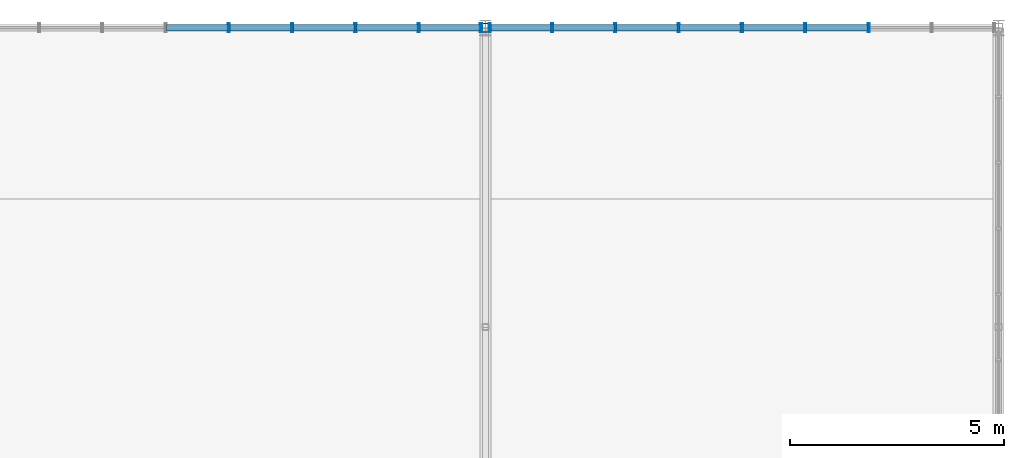
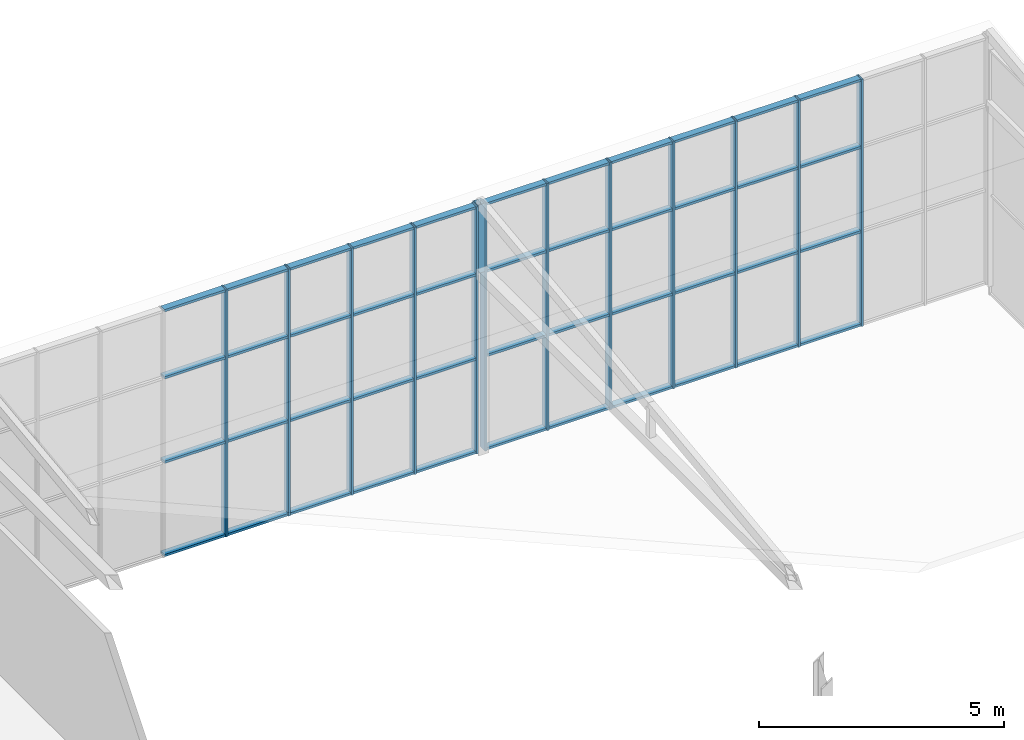
# One storey, part 78 of 104: 57 members, 2 elements without a shape of their own.
"""IFC4 building model written with IfcOpenShell, lengths in metres."""

from ifc_helpers import new_model, si_unit, direction, frame, origin, origin_2d, place, context, subcontext, project, spatial, hollow_rectangle, extrude, material, layer, layer_set, material_profile, profile_set, type_object, element, aggregate, save


model = new_model("IFC4")

# Units and contexts
model_context = context("Model", 3, precision=1e-05, world=origin(), true_north=direction((0.0, 1.0)))
body_context = subcontext(model_context, "Body", "Model", "MODEL_VIEW")
ifc_project = project(units=[si_unit("LENGTHUNIT", "METRE"), si_unit("AREAUNIT", "SQUARE_METRE"), si_unit("VOLUMEUNIT", "CUBIC_METRE"), si_unit("PLANEANGLEUNIT", "RADIAN"), si_unit("MASSUNIT", "GRAM", prefix="KILO")], contexts=[model_context])

# Site, building, storey
site_placement = place(None, origin())
site = spatial("IfcSite", under=ifc_project, at=site_placement, CompositionType="ELEMENT")
building_placement = place(site_placement, origin())
building = spatial("IfcBuilding", under=site, at=building_placement, Name="Solvenia Promenade Tram Depot", CompositionType="ELEMENT")
storey_placement = place(building_placement, frame((0.0, 0.0, 9.0)))
storey = spatial("IfcBuildingStorey", under=building, at=storey_placement, Name="L02", CompositionType="ELEMENT", Elevation=9.0)

# Curtain wall, members
ifc_material_1 = material(Name="Anodized aluminium AW-6063 T6", Category="aluminium")
ifc_layer = layer(ifc_material_1, 0.080078125, Name="Anodized aluminium AW-6063 T6", Category="aluminium")
ifc_layer_set = layer_set([ifc_layer], Name="Anodized aluminium AW-6063 T6")
curtain_wall_type = type_object("IfcCurtainWallType", Name="CW-Clerest-1500", PredefinedType="NOTDEFINED", material=ifc_layer_set)
curtain_wall_1_placement = place(storey_placement, origin())
curtain_wall_1 = element("IfcCurtainWall", 1, at=curtain_wall_1_placement, inside=storey, type_object=curtain_wall_type, Name="Curtain Wall CW-V2N-L2-162", PredefinedType="NOTDEFINED")
ifc_material_profile_1 = material_profile(ifc_material_1, hollow_rectangle(XDim=0.199951171875, YDim=0.048095703125, WallThickness=0.00390625, at=origin_2d()), Name="ALU-M3", Category="aluminium")
ifc_profile_set_1 = profile_set([ifc_material_profile_1], Name="Anodized aluminium AW-6063 T6")
member_type_1 = type_object("IfcMemberType", Name="CWM-Mullion-3", PredefinedType="MULLION", material=ifc_profile_set_1)
member_1_placement = place(storey_placement, frame((168.0, 66.0, 0.0), z_axis=(0.0, 0.0, 1.0), x_axis=(0.0, 1.0, 0.0)))
member_1 = element("IfcMember", 2, at=member_1_placement, type_object=member_type_1, Name="CW-4 mullion 5", PredefinedType="MULLION", context=body_context, shape_type="SweptSolid", body=[
    extrude(hollow_rectangle(XDim=0.199951171875, YDim=0.048095703125, WallThickness=0.00390625, at=origin_2d()), origin(), (0.0, 0.0, 1.0), 6.14990234375),
])
member_2_placement = place(storey_placement, frame((169.47998046875, 66.0, 0.0), z_axis=(0.0, 0.0, 1.0), x_axis=(0.0, 1.0, 0.0)))
member_2 = element("IfcMember", 3, at=member_2_placement, type_object=member_type_1, Name="CW-4 mullion 6", PredefinedType="MULLION", context=body_context, shape_type="SweptSolid", body=[
    extrude(hollow_rectangle(XDim=0.199951171875, YDim=0.048095703125, WallThickness=0.00390625, at=origin_2d()), origin(), (0.0, 0.0, 1.0), 6.14990234375),
])
member_3_placement = place(storey_placement, frame((170.9599609375, 66.0, 0.0), z_axis=(0.0, 0.0, 1.0), x_axis=(0.0, 1.0, 0.0)))
member_3 = element("IfcMember", 4, at=member_3_placement, type_object=member_type_1, Name="CW-4 mullion 7", PredefinedType="MULLION", context=body_context, shape_type="SweptSolid", body=[
    extrude(hollow_rectangle(XDim=0.199951171875, YDim=0.048095703125, WallThickness=0.00390625, at=origin_2d()), origin(), (0.0, 0.0, 1.0), 6.14990234375),
])
member_4_placement = place(storey_placement, frame((172.43994140625, 66.0, 0.0), z_axis=(0.0, 0.0, 1.0), x_axis=(0.0, 1.0, 0.0)))
member_4 = element("IfcMember", 5, at=member_4_placement, type_object=member_type_1, Name="CW-4 mullion 8", PredefinedType="MULLION", context=body_context, shape_type="SweptSolid", body=[
    extrude(hollow_rectangle(XDim=0.199951171875, YDim=0.048095703125, WallThickness=0.00390625, at=origin_2d()), origin(), (0.0, 0.0, 1.0), 6.14990234375),
])
member_5_placement = place(storey_placement, frame((173.89599609375, 66.0, 0.0), z_axis=(0.0, 0.0, 1.0), x_axis=(0.0, 1.0, 0.0)))
member_5 = element("IfcMember", 6, at=member_5_placement, type_object=member_type_1, Name="CW-4 mullion 9", PredefinedType="MULLION", context=body_context, shape_type="SweptSolid", body=[
    extrude(hollow_rectangle(XDim=0.199951171875, YDim=0.048095703125, WallThickness=0.00390625, at=origin_2d()), origin(), (0.0, 0.0, 1.0), 6.14990234375),
])

curtain_wall_2_placement = place(storey_placement, origin())
curtain_wall_2 = element("IfcCurtainWall", 7, at=curtain_wall_2_placement, inside=storey, type_object=curtain_wall_type, Name="Curtain Wall CW-V2N-L2-174", PredefinedType="NOTDEFINED")
member_6_placement = place(storey_placement, frame((174.10400390625, 66.0, 0.0), z_axis=(0.0, 0.0, 1.0), x_axis=(0.0, 1.0, 0.0)))
member_6 = element("IfcMember", 8, at=member_6_placement, type_object=member_type_1, Name="CW-4 mullion 1", PredefinedType="MULLION", context=body_context, shape_type="SweptSolid", body=[
    extrude(hollow_rectangle(XDim=0.199951171875, YDim=0.048095703125, WallThickness=0.00390625, at=origin_2d()), origin(), (0.0, 0.0, 1.0), 6.14990234375),
])
member_7_placement = place(storey_placement, frame((175.56005859375, 66.0, 0.0), z_axis=(0.0, 0.0, 1.0), x_axis=(0.0, 1.0, 0.0)))
member_7 = element("IfcMember", 9, at=member_7_placement, type_object=member_type_1, Name="CW-4 mullion 2", PredefinedType="MULLION", context=body_context, shape_type="SweptSolid", body=[
    extrude(hollow_rectangle(XDim=0.199951171875, YDim=0.048095703125, WallThickness=0.00390625, at=origin_2d()), origin(), (0.0, 0.0, 1.0), 6.14990234375),
])
member_8_placement = place(storey_placement, frame((177.0400390625, 66.0, 0.0), z_axis=(0.0, 0.0, 1.0), x_axis=(0.0, 1.0, 0.0)))
member_8 = element("IfcMember", 10, at=member_8_placement, type_object=member_type_1, Name="CW-4 mullion 3", PredefinedType="MULLION", context=body_context, shape_type="SweptSolid", body=[
    extrude(hollow_rectangle(XDim=0.199951171875, YDim=0.048095703125, WallThickness=0.00390625, at=origin_2d()), origin(), (0.0, 0.0, 1.0), 6.14990234375),
])
member_9_placement = place(storey_placement, frame((178.52001953125, 66.0, 0.0), z_axis=(0.0, 0.0, 1.0), x_axis=(0.0, 1.0, 0.0)))
member_9 = element("IfcMember", 11, at=member_9_placement, type_object=member_type_1, Name="CW-4 mullion 4", PredefinedType="MULLION", context=body_context, shape_type="SweptSolid", body=[
    extrude(hollow_rectangle(XDim=0.199951171875, YDim=0.048095703125, WallThickness=0.00390625, at=origin_2d()), origin(), (0.0, 0.0, 1.0), 6.14990234375),
])
member_10_placement = place(storey_placement, frame((180.0, 66.0, 0.0), z_axis=(0.0, 0.0, 1.0), x_axis=(0.0, 1.0, 0.0)))
member_10 = element("IfcMember", 12, at=member_10_placement, type_object=member_type_1, Name="CW-4 mullion 5", PredefinedType="MULLION", context=body_context, shape_type="SweptSolid", body=[
    extrude(hollow_rectangle(XDim=0.199951171875, YDim=0.048095703125, WallThickness=0.00390625, at=origin_2d()), origin(), (0.0, 0.0, 1.0), 6.14990234375),
])
member_11_placement = place(storey_placement, frame((181.47998046875, 66.0, 0.0), z_axis=(0.0, 0.0, 1.0), x_axis=(0.0, 1.0, 0.0)))
member_11 = element("IfcMember", 13, at=member_11_placement, type_object=member_type_1, Name="CW-4 mullion 6", PredefinedType="MULLION", context=body_context, shape_type="SweptSolid", body=[
    extrude(hollow_rectangle(XDim=0.199951171875, YDim=0.048095703125, WallThickness=0.00390625, at=origin_2d()), origin(), (0.0, 0.0, 1.0), 6.14990234375),
])
member_12_placement = place(storey_placement, frame((182.9599609375, 66.0, 0.0), z_axis=(0.0, 0.0, 1.0), x_axis=(0.0, 1.0, 0.0)))
member_12 = element("IfcMember", 14, at=member_12_placement, type_object=member_type_1, Name="CW-4 mullion 7", PredefinedType="MULLION", context=body_context, shape_type="SweptSolid", body=[
    extrude(hollow_rectangle(XDim=0.199951171875, YDim=0.048095703125, WallThickness=0.00390625, at=origin_2d()), origin(), (0.0, 0.0, 1.0), 6.14990234375),
])

# Member
ifc_material_profile_2 = material_profile(ifc_material_1, hollow_rectangle(XDim=0.159912109375, YDim=0.05810546875, WallThickness=0.00390625, at=origin_2d()), Name="ALU-T3", Category="aluminium")
ifc_profile_set_2 = profile_set([ifc_material_profile_2], Name="Anodized aluminium AW-6063 T6")
member_type_2 = type_object("IfcMemberType", Name="CWT-Transom-3", PredefinedType="USERDEFINED", material=ifc_profile_set_2)
member_13_placement = place(storey_placement, frame((166.5439453125, 66.0, 0.029052734375), z_axis=(1.0, 0.0, 0.0), x_axis=(0.0, 1.0, 0.0)))
member_13 = element("IfcMember", 15, at=member_13_placement, type_object=member_type_2, Name="CW-4 transom 4.1", ObjectType="TRANSOM", PredefinedType="USERDEFINED", context=body_context, shape_type="SweptSolid", body=[
    extrude(hollow_rectangle(XDim=0.159912109375, YDim=0.05810546875, WallThickness=0.00390625, at=origin_2d()), origin(), (0.0, 0.0, 1.0), 1.43212890625),
])

member_14_placement = place(storey_placement, frame((166.5439453125, 66.0, 2.35009765625), z_axis=(1.0, 0.0, 0.0), x_axis=(0.0, 1.0, 0.0)))
member_14 = element("IfcMember", 16, at=member_14_placement, type_object=member_type_2, Name="CW-4 transom 4.2", ObjectType="TRANSOM", PredefinedType="USERDEFINED", context=body_context, shape_type="SweptSolid", body=[
    extrude(hollow_rectangle(XDim=0.159912109375, YDim=0.05810546875, WallThickness=0.00390625, at=origin_2d()), origin(), (0.0, 0.0, 1.0), 1.43212890625),
])

member_15_placement = place(storey_placement, frame((166.5439453125, 66.0, 4.449951171875), z_axis=(1.0, 0.0, 0.0), x_axis=(0.0, 1.0, 0.0)))
member_15 = element("IfcMember", 17, at=member_15_placement, type_object=member_type_2, Name="CW-4 transom 4.3", ObjectType="TRANSOM", PredefinedType="USERDEFINED", context=body_context, shape_type="SweptSolid", body=[
    extrude(hollow_rectangle(XDim=0.159912109375, YDim=0.05810546875, WallThickness=0.00390625, at=origin_2d()), origin(), (0.0, 0.0, 1.0), 1.43212890625),
])

member_16_placement = place(storey_placement, frame((166.5439453125, 66.0, 6.12109375), z_axis=(1.0, 0.0, 0.0), x_axis=(0.0, 1.0, 0.0)))
member_16 = element("IfcMember", 18, at=member_16_placement, type_object=member_type_2, Name="CW-4 transom 4.4", ObjectType="TRANSOM", PredefinedType="USERDEFINED", context=body_context, shape_type="SweptSolid", body=[
    extrude(hollow_rectangle(XDim=0.159912109375, YDim=0.05810546875, WallThickness=0.00390625, at=origin_2d()), origin(), (0.0, 0.0, 1.0), 1.43212890625),
])

member_17_placement = place(storey_placement, frame((168.02392578125, 66.0, 0.029052734375), z_axis=(1.0, 0.0, 0.0), x_axis=(0.0, 1.0, 0.0)))
member_17 = element("IfcMember", 19, at=member_17_placement, type_object=member_type_2, Name="CW-4 transom 5.1", ObjectType="TRANSOM", PredefinedType="USERDEFINED", context=body_context, shape_type="SweptSolid", body=[
    extrude(hollow_rectangle(XDim=0.159912109375, YDim=0.05810546875, WallThickness=0.00390625, at=origin_2d()), origin(), (0.0, 0.0, 1.0), 1.43212890625),
])

member_18_placement = place(storey_placement, frame((168.02392578125, 66.0, 2.35009765625), z_axis=(1.0, 0.0, 0.0), x_axis=(0.0, 1.0, 0.0)))
member_18 = element("IfcMember", 20, at=member_18_placement, type_object=member_type_2, Name="CW-4 transom 5.2", ObjectType="TRANSOM", PredefinedType="USERDEFINED", context=body_context, shape_type="SweptSolid", body=[
    extrude(hollow_rectangle(XDim=0.159912109375, YDim=0.05810546875, WallThickness=0.00390625, at=origin_2d()), origin(), (0.0, 0.0, 1.0), 1.43212890625),
])

member_19_placement = place(storey_placement, frame((168.02392578125, 66.0, 4.449951171875), z_axis=(1.0, 0.0, 0.0), x_axis=(0.0, 1.0, 0.0)))
member_19 = element("IfcMember", 21, at=member_19_placement, type_object=member_type_2, Name="CW-4 transom 5.3", ObjectType="TRANSOM", PredefinedType="USERDEFINED", context=body_context, shape_type="SweptSolid", body=[
    extrude(hollow_rectangle(XDim=0.159912109375, YDim=0.05810546875, WallThickness=0.00390625, at=origin_2d()), origin(), (0.0, 0.0, 1.0), 1.43212890625),
])

member_20_placement = place(storey_placement, frame((168.02392578125, 66.0, 6.12109375), z_axis=(1.0, 0.0, 0.0), x_axis=(0.0, 1.0, 0.0)))
member_20 = element("IfcMember", 22, at=member_20_placement, type_object=member_type_2, Name="CW-4 transom 5.4", ObjectType="TRANSOM", PredefinedType="USERDEFINED", context=body_context, shape_type="SweptSolid", body=[
    extrude(hollow_rectangle(XDim=0.159912109375, YDim=0.05810546875, WallThickness=0.00390625, at=origin_2d()), origin(), (0.0, 0.0, 1.0), 1.43212890625),
])

member_21_placement = place(storey_placement, frame((169.50390625, 66.0, 0.029052734375), z_axis=(1.0, 0.0, 0.0), x_axis=(0.0, 1.0, 0.0)))
member_21 = element("IfcMember", 23, at=member_21_placement, type_object=member_type_2, Name="CW-4 transom 6.1", ObjectType="TRANSOM", PredefinedType="USERDEFINED", context=body_context, shape_type="SweptSolid", body=[
    extrude(hollow_rectangle(XDim=0.159912109375, YDim=0.05810546875, WallThickness=0.00390625, at=origin_2d()), origin(), (0.0, 0.0, 1.0), 1.43212890625),
])

member_22_placement = place(storey_placement, frame((169.50390625, 66.0, 2.35009765625), z_axis=(1.0, 0.0, 0.0), x_axis=(0.0, 1.0, 0.0)))
member_22 = element("IfcMember", 24, at=member_22_placement, type_object=member_type_2, Name="CW-4 transom 6.2", ObjectType="TRANSOM", PredefinedType="USERDEFINED", context=body_context, shape_type="SweptSolid", body=[
    extrude(hollow_rectangle(XDim=0.159912109375, YDim=0.05810546875, WallThickness=0.00390625, at=origin_2d()), origin(), (0.0, 0.0, 1.0), 1.43212890625),
])

member_23_placement = place(storey_placement, frame((169.50390625, 66.0, 4.449951171875), z_axis=(1.0, 0.0, 0.0), x_axis=(0.0, 1.0, 0.0)))
member_23 = element("IfcMember", 25, at=member_23_placement, type_object=member_type_2, Name="CW-4 transom 6.3", ObjectType="TRANSOM", PredefinedType="USERDEFINED", context=body_context, shape_type="SweptSolid", body=[
    extrude(hollow_rectangle(XDim=0.159912109375, YDim=0.05810546875, WallThickness=0.00390625, at=origin_2d()), origin(), (0.0, 0.0, 1.0), 1.43212890625),
])

member_24_placement = place(storey_placement, frame((169.50390625, 66.0, 6.12109375), z_axis=(1.0, 0.0, 0.0), x_axis=(0.0, 1.0, 0.0)))
member_24 = element("IfcMember", 26, at=member_24_placement, type_object=member_type_2, Name="CW-4 transom 6.4", ObjectType="TRANSOM", PredefinedType="USERDEFINED", context=body_context, shape_type="SweptSolid", body=[
    extrude(hollow_rectangle(XDim=0.159912109375, YDim=0.05810546875, WallThickness=0.00390625, at=origin_2d()), origin(), (0.0, 0.0, 1.0), 1.43212890625),
])

member_25_placement = place(storey_placement, frame((170.98388671875, 66.0, 0.029052734375), z_axis=(1.0, 0.0, 0.0), x_axis=(0.0, 1.0, 0.0)))
member_25 = element("IfcMember", 27, at=member_25_placement, type_object=member_type_2, Name="CW-4 transom 7.1", ObjectType="TRANSOM", PredefinedType="USERDEFINED", context=body_context, shape_type="SweptSolid", body=[
    extrude(hollow_rectangle(XDim=0.159912109375, YDim=0.05810546875, WallThickness=0.00390625, at=origin_2d()), origin(), (0.0, 0.0, 1.0), 1.43212890625),
])

member_26_placement = place(storey_placement, frame((170.98388671875, 66.0, 2.35009765625), z_axis=(1.0, 0.0, 0.0), x_axis=(0.0, 1.0, 0.0)))
member_26 = element("IfcMember", 28, at=member_26_placement, type_object=member_type_2, Name="CW-4 transom 7.2", ObjectType="TRANSOM", PredefinedType="USERDEFINED", context=body_context, shape_type="SweptSolid", body=[
    extrude(hollow_rectangle(XDim=0.159912109375, YDim=0.05810546875, WallThickness=0.00390625, at=origin_2d()), origin(), (0.0, 0.0, 1.0), 1.43212890625),
])

member_27_placement = place(storey_placement, frame((170.98388671875, 66.0, 4.449951171875), z_axis=(1.0, 0.0, 0.0), x_axis=(0.0, 1.0, 0.0)))
member_27 = element("IfcMember", 29, at=member_27_placement, type_object=member_type_2, Name="CW-4 transom 7.3", ObjectType="TRANSOM", PredefinedType="USERDEFINED", context=body_context, shape_type="SweptSolid", body=[
    extrude(hollow_rectangle(XDim=0.159912109375, YDim=0.05810546875, WallThickness=0.00390625, at=origin_2d()), origin(), (0.0, 0.0, 1.0), 1.43212890625),
])

member_28_placement = place(storey_placement, frame((170.98388671875, 66.0, 6.12109375), z_axis=(1.0, 0.0, 0.0), x_axis=(0.0, 1.0, 0.0)))
member_28 = element("IfcMember", 30, at=member_28_placement, type_object=member_type_2, Name="CW-4 transom 7.4", ObjectType="TRANSOM", PredefinedType="USERDEFINED", context=body_context, shape_type="SweptSolid", body=[
    extrude(hollow_rectangle(XDim=0.159912109375, YDim=0.05810546875, WallThickness=0.00390625, at=origin_2d()), origin(), (0.0, 0.0, 1.0), 1.43212890625),
])

member_29_placement = place(storey_placement, frame((172.464111328125, 66.0, 0.029052734375), z_axis=(1.0, 0.0, 0.0), x_axis=(0.0, 1.0, 0.0)))
member_29 = element("IfcMember", 31, at=member_29_placement, type_object=member_type_2, Name="CW-4 transom 8.1", ObjectType="TRANSOM", PredefinedType="USERDEFINED", context=body_context, shape_type="SweptSolid", body=[
    extrude(hollow_rectangle(XDim=0.159912109375, YDim=0.05810546875, WallThickness=0.00390625, at=origin_2d()), origin(), (0.0, 0.0, 1.0), 1.407958984375),
])

member_30_placement = place(storey_placement, frame((172.464111328125, 66.0, 2.35009765625), z_axis=(1.0, 0.0, 0.0), x_axis=(0.0, 1.0, 0.0)))
member_30 = element("IfcMember", 32, at=member_30_placement, type_object=member_type_2, Name="CW-4 transom 8.2", ObjectType="TRANSOM", PredefinedType="USERDEFINED", context=body_context, shape_type="SweptSolid", body=[
    extrude(hollow_rectangle(XDim=0.159912109375, YDim=0.05810546875, WallThickness=0.00390625, at=origin_2d()), origin(), (0.0, 0.0, 1.0), 1.407958984375),
])

member_31_placement = place(storey_placement, frame((172.464111328125, 66.0, 4.449951171875), z_axis=(1.0, 0.0, 0.0), x_axis=(0.0, 1.0, 0.0)))
member_31 = element("IfcMember", 33, at=member_31_placement, type_object=member_type_2, Name="CW-4 transom 8.3", ObjectType="TRANSOM", PredefinedType="USERDEFINED", context=body_context, shape_type="SweptSolid", body=[
    extrude(hollow_rectangle(XDim=0.159912109375, YDim=0.05810546875, WallThickness=0.00390625, at=origin_2d()), origin(), (0.0, 0.0, 1.0), 1.407958984375),
])

member_32_placement = place(storey_placement, frame((172.464111328125, 66.0, 6.12109375), z_axis=(1.0, 0.0, 0.0), x_axis=(0.0, 1.0, 0.0)))
member_32 = element("IfcMember", 34, at=member_32_placement, type_object=member_type_2, Name="CW-4 transom 8.4", ObjectType="TRANSOM", PredefinedType="USERDEFINED", context=body_context, shape_type="SweptSolid", body=[
    extrude(hollow_rectangle(XDim=0.159912109375, YDim=0.05810546875, WallThickness=0.00390625, at=origin_2d()), origin(), (0.0, 0.0, 1.0), 1.407958984375),
])

aggregate(curtain_wall_1, [member_1, member_2, member_3, member_4, member_5, member_13, member_14, member_15, member_16, member_17, member_18, member_19, member_20, member_21, member_22, member_23, member_24, member_25, member_26, member_27, member_28, member_29, member_30, member_31, member_32])

member_33_placement = place(storey_placement, frame((174.1279296875, 66.0, 0.029052734375), z_axis=(1.0, 0.0, 0.0), x_axis=(0.0, 1.0, 0.0)))
member_33 = element("IfcMember", 35, at=member_33_placement, type_object=member_type_2, Name="CW-4 transom 1.1", ObjectType="TRANSOM", PredefinedType="USERDEFINED", context=body_context, shape_type="SweptSolid", body=[
    extrude(hollow_rectangle(XDim=0.159912109375, YDim=0.05810546875, WallThickness=0.00390625, at=origin_2d()), origin(), (0.0, 0.0, 1.0), 1.407958984375),
])

member_34_placement = place(storey_placement, frame((174.1279296875, 66.0, 2.35009765625), z_axis=(1.0, 0.0, 0.0), x_axis=(0.0, 1.0, 0.0)))
member_34 = element("IfcMember", 36, at=member_34_placement, type_object=member_type_2, Name="CW-4 transom 1.2", ObjectType="TRANSOM", PredefinedType="USERDEFINED", context=body_context, shape_type="SweptSolid", body=[
    extrude(hollow_rectangle(XDim=0.159912109375, YDim=0.05810546875, WallThickness=0.00390625, at=origin_2d()), origin(), (0.0, 0.0, 1.0), 1.407958984375),
])

member_35_placement = place(storey_placement, frame((174.1279296875, 66.0, 4.449951171875), z_axis=(1.0, 0.0, 0.0), x_axis=(0.0, 1.0, 0.0)))
member_35 = element("IfcMember", 37, at=member_35_placement, type_object=member_type_2, Name="CW-4 transom 1.3", ObjectType="TRANSOM", PredefinedType="USERDEFINED", context=body_context, shape_type="SweptSolid", body=[
    extrude(hollow_rectangle(XDim=0.159912109375, YDim=0.05810546875, WallThickness=0.00390625, at=origin_2d()), origin(), (0.0, 0.0, 1.0), 1.407958984375),
])

member_36_placement = place(storey_placement, frame((174.1279296875, 66.0, 6.12109375), z_axis=(1.0, 0.0, 0.0), x_axis=(0.0, 1.0, 0.0)))
member_36 = element("IfcMember", 38, at=member_36_placement, type_object=member_type_2, Name="CW-4 transom 1.4", ObjectType="TRANSOM", PredefinedType="USERDEFINED", context=body_context, shape_type="SweptSolid", body=[
    extrude(hollow_rectangle(XDim=0.159912109375, YDim=0.05810546875, WallThickness=0.00390625, at=origin_2d()), origin(), (0.0, 0.0, 1.0), 1.407958984375),
])

member_37_placement = place(storey_placement, frame((175.583984375, 66.0, 0.029052734375), z_axis=(1.0, 0.0, 0.0), x_axis=(0.0, 1.0, 0.0)))
member_37 = element("IfcMember", 39, at=member_37_placement, type_object=member_type_2, Name="CW-4 transom 2.1", ObjectType="TRANSOM", PredefinedType="USERDEFINED", context=body_context, shape_type="SweptSolid", body=[
    extrude(hollow_rectangle(XDim=0.159912109375, YDim=0.05810546875, WallThickness=0.00390625, at=origin_2d()), origin(), (0.0, 0.0, 1.0), 1.43212890625),
])

member_38_placement = place(storey_placement, frame((175.583984375, 66.0, 2.35009765625), z_axis=(1.0, 0.0, 0.0), x_axis=(0.0, 1.0, 0.0)))
member_38 = element("IfcMember", 40, at=member_38_placement, type_object=member_type_2, Name="CW-4 transom 2.2", ObjectType="TRANSOM", PredefinedType="USERDEFINED", context=body_context, shape_type="SweptSolid", body=[
    extrude(hollow_rectangle(XDim=0.159912109375, YDim=0.05810546875, WallThickness=0.00390625, at=origin_2d()), origin(), (0.0, 0.0, 1.0), 1.43212890625),
])

member_39_placement = place(storey_placement, frame((175.583984375, 66.0, 4.449951171875), z_axis=(1.0, 0.0, 0.0), x_axis=(0.0, 1.0, 0.0)))
member_39 = element("IfcMember", 41, at=member_39_placement, type_object=member_type_2, Name="CW-4 transom 2.3", ObjectType="TRANSOM", PredefinedType="USERDEFINED", context=body_context, shape_type="SweptSolid", body=[
    extrude(hollow_rectangle(XDim=0.159912109375, YDim=0.05810546875, WallThickness=0.00390625, at=origin_2d()), origin(), (0.0, 0.0, 1.0), 1.43212890625),
])

member_40_placement = place(storey_placement, frame((175.583984375, 66.0, 6.12109375), z_axis=(1.0, 0.0, 0.0), x_axis=(0.0, 1.0, 0.0)))
member_40 = element("IfcMember", 42, at=member_40_placement, type_object=member_type_2, Name="CW-4 transom 2.4", ObjectType="TRANSOM", PredefinedType="USERDEFINED", context=body_context, shape_type="SweptSolid", body=[
    extrude(hollow_rectangle(XDim=0.159912109375, YDim=0.05810546875, WallThickness=0.00390625, at=origin_2d()), origin(), (0.0, 0.0, 1.0), 1.43212890625),
])

member_41_placement = place(storey_placement, frame((177.06396484375, 66.0, 0.029052734375), z_axis=(1.0, 0.0, 0.0), x_axis=(0.0, 1.0, 0.0)))
member_41 = element("IfcMember", 43, at=member_41_placement, type_object=member_type_2, Name="CW-4 transom 3.1", ObjectType="TRANSOM", PredefinedType="USERDEFINED", context=body_context, shape_type="SweptSolid", body=[
    extrude(hollow_rectangle(XDim=0.159912109375, YDim=0.05810546875, WallThickness=0.00390625, at=origin_2d()), origin(), (0.0, 0.0, 1.0), 1.43212890625),
])

member_42_placement = place(storey_placement, frame((177.06396484375, 66.0, 2.35009765625), z_axis=(1.0, 0.0, 0.0), x_axis=(0.0, 1.0, 0.0)))
member_42 = element("IfcMember", 44, at=member_42_placement, type_object=member_type_2, Name="CW-4 transom 3.2", ObjectType="TRANSOM", PredefinedType="USERDEFINED", context=body_context, shape_type="SweptSolid", body=[
    extrude(hollow_rectangle(XDim=0.159912109375, YDim=0.05810546875, WallThickness=0.00390625, at=origin_2d()), origin(), (0.0, 0.0, 1.0), 1.43212890625),
])

member_43_placement = place(storey_placement, frame((177.06396484375, 66.0, 4.449951171875), z_axis=(1.0, 0.0, 0.0), x_axis=(0.0, 1.0, 0.0)))
member_43 = element("IfcMember", 45, at=member_43_placement, type_object=member_type_2, Name="CW-4 transom 3.3", ObjectType="TRANSOM", PredefinedType="USERDEFINED", context=body_context, shape_type="SweptSolid", body=[
    extrude(hollow_rectangle(XDim=0.159912109375, YDim=0.05810546875, WallThickness=0.00390625, at=origin_2d()), origin(), (0.0, 0.0, 1.0), 1.43212890625),
])

member_44_placement = place(storey_placement, frame((177.06396484375, 66.0, 6.12109375), z_axis=(1.0, 0.0, 0.0), x_axis=(0.0, 1.0, 0.0)))
member_44 = element("IfcMember", 46, at=member_44_placement, type_object=member_type_2, Name="CW-4 transom 3.4", ObjectType="TRANSOM", PredefinedType="USERDEFINED", context=body_context, shape_type="SweptSolid", body=[
    extrude(hollow_rectangle(XDim=0.159912109375, YDim=0.05810546875, WallThickness=0.00390625, at=origin_2d()), origin(), (0.0, 0.0, 1.0), 1.43212890625),
])

member_45_placement = place(storey_placement, frame((178.5439453125, 66.0, 0.029052734375), z_axis=(1.0, 0.0, 0.0), x_axis=(0.0, 1.0, 0.0)))
member_45 = element("IfcMember", 47, at=member_45_placement, type_object=member_type_2, Name="CW-4 transom 4.1", ObjectType="TRANSOM", PredefinedType="USERDEFINED", context=body_context, shape_type="SweptSolid", body=[
    extrude(hollow_rectangle(XDim=0.159912109375, YDim=0.05810546875, WallThickness=0.00390625, at=origin_2d()), origin(), (0.0, 0.0, 1.0), 1.43212890625),
])

member_46_placement = place(storey_placement, frame((178.5439453125, 66.0, 2.35009765625), z_axis=(1.0, 0.0, 0.0), x_axis=(0.0, 1.0, 0.0)))
member_46 = element("IfcMember", 48, at=member_46_placement, type_object=member_type_2, Name="CW-4 transom 4.2", ObjectType="TRANSOM", PredefinedType="USERDEFINED", context=body_context, shape_type="SweptSolid", body=[
    extrude(hollow_rectangle(XDim=0.159912109375, YDim=0.05810546875, WallThickness=0.00390625, at=origin_2d()), origin(), (0.0, 0.0, 1.0), 1.43212890625),
])

member_47_placement = place(storey_placement, frame((178.5439453125, 66.0, 4.449951171875), z_axis=(1.0, 0.0, 0.0), x_axis=(0.0, 1.0, 0.0)))
member_47 = element("IfcMember", 49, at=member_47_placement, type_object=member_type_2, Name="CW-4 transom 4.3", ObjectType="TRANSOM", PredefinedType="USERDEFINED", context=body_context, shape_type="SweptSolid", body=[
    extrude(hollow_rectangle(XDim=0.159912109375, YDim=0.05810546875, WallThickness=0.00390625, at=origin_2d()), origin(), (0.0, 0.0, 1.0), 1.43212890625),
])

member_48_placement = place(storey_placement, frame((178.5439453125, 66.0, 6.12109375), z_axis=(1.0, 0.0, 0.0), x_axis=(0.0, 1.0, 0.0)))
member_48 = element("IfcMember", 50, at=member_48_placement, type_object=member_type_2, Name="CW-4 transom 4.4", ObjectType="TRANSOM", PredefinedType="USERDEFINED", context=body_context, shape_type="SweptSolid", body=[
    extrude(hollow_rectangle(XDim=0.159912109375, YDim=0.05810546875, WallThickness=0.00390625, at=origin_2d()), origin(), (0.0, 0.0, 1.0), 1.43212890625),
])

member_49_placement = place(storey_placement, frame((180.02392578125, 66.0, 0.029052734375), z_axis=(1.0, 0.0, 0.0), x_axis=(0.0, 1.0, 0.0)))
member_49 = element("IfcMember", 51, at=member_49_placement, type_object=member_type_2, Name="CW-4 transom 5.1", ObjectType="TRANSOM", PredefinedType="USERDEFINED", context=body_context, shape_type="SweptSolid", body=[
    extrude(hollow_rectangle(XDim=0.159912109375, YDim=0.05810546875, WallThickness=0.00390625, at=origin_2d()), origin(), (0.0, 0.0, 1.0), 1.43212890625),
])

member_50_placement = place(storey_placement, frame((180.02392578125, 66.0, 2.35009765625), z_axis=(1.0, 0.0, 0.0), x_axis=(0.0, 1.0, 0.0)))
member_50 = element("IfcMember", 52, at=member_50_placement, type_object=member_type_2, Name="CW-4 transom 5.2", ObjectType="TRANSOM", PredefinedType="USERDEFINED", context=body_context, shape_type="SweptSolid", body=[
    extrude(hollow_rectangle(XDim=0.159912109375, YDim=0.05810546875, WallThickness=0.00390625, at=origin_2d()), origin(), (0.0, 0.0, 1.0), 1.43212890625),
])

member_51_placement = place(storey_placement, frame((180.02392578125, 66.0, 4.449951171875), z_axis=(1.0, 0.0, 0.0), x_axis=(0.0, 1.0, 0.0)))
member_51 = element("IfcMember", 53, at=member_51_placement, type_object=member_type_2, Name="CW-4 transom 5.3", ObjectType="TRANSOM", PredefinedType="USERDEFINED", context=body_context, shape_type="SweptSolid", body=[
    extrude(hollow_rectangle(XDim=0.159912109375, YDim=0.05810546875, WallThickness=0.00390625, at=origin_2d()), origin(), (0.0, 0.0, 1.0), 1.43212890625),
])

member_52_placement = place(storey_placement, frame((180.02392578125, 66.0, 6.12109375), z_axis=(1.0, 0.0, 0.0), x_axis=(0.0, 1.0, 0.0)))
member_52 = element("IfcMember", 54, at=member_52_placement, type_object=member_type_2, Name="CW-4 transom 5.4", ObjectType="TRANSOM", PredefinedType="USERDEFINED", context=body_context, shape_type="SweptSolid", body=[
    extrude(hollow_rectangle(XDim=0.159912109375, YDim=0.05810546875, WallThickness=0.00390625, at=origin_2d()), origin(), (0.0, 0.0, 1.0), 1.43212890625),
])

member_53_placement = place(storey_placement, frame((181.50390625, 66.0, 0.029052734375), z_axis=(1.0, 0.0, 0.0), x_axis=(0.0, 1.0, 0.0)))
member_53 = element("IfcMember", 55, at=member_53_placement, type_object=member_type_2, Name="CW-4 transom 6.1", ObjectType="TRANSOM", PredefinedType="USERDEFINED", context=body_context, shape_type="SweptSolid", body=[
    extrude(hollow_rectangle(XDim=0.159912109375, YDim=0.05810546875, WallThickness=0.00390625, at=origin_2d()), origin(), (0.0, 0.0, 1.0), 1.43212890625),
])

member_54_placement = place(storey_placement, frame((181.50390625, 66.0, 2.35009765625), z_axis=(1.0, 0.0, 0.0), x_axis=(0.0, 1.0, 0.0)))
member_54 = element("IfcMember", 56, at=member_54_placement, type_object=member_type_2, Name="CW-4 transom 6.2", ObjectType="TRANSOM", PredefinedType="USERDEFINED", context=body_context, shape_type="SweptSolid", body=[
    extrude(hollow_rectangle(XDim=0.159912109375, YDim=0.05810546875, WallThickness=0.00390625, at=origin_2d()), origin(), (0.0, 0.0, 1.0), 1.43212890625),
])

member_55_placement = place(storey_placement, frame((181.50390625, 66.0, 4.449951171875), z_axis=(1.0, 0.0, 0.0), x_axis=(0.0, 1.0, 0.0)))
member_55 = element("IfcMember", 57, at=member_55_placement, type_object=member_type_2, Name="CW-4 transom 6.3", ObjectType="TRANSOM", PredefinedType="USERDEFINED", context=body_context, shape_type="SweptSolid", body=[
    extrude(hollow_rectangle(XDim=0.159912109375, YDim=0.05810546875, WallThickness=0.00390625, at=origin_2d()), origin(), (0.0, 0.0, 1.0), 1.43212890625),
])

member_56_placement = place(storey_placement, frame((181.50390625, 66.0, 6.12109375), z_axis=(1.0, 0.0, 0.0), x_axis=(0.0, 1.0, 0.0)))
member_56 = element("IfcMember", 58, at=member_56_placement, type_object=member_type_2, Name="CW-4 transom 6.4", ObjectType="TRANSOM", PredefinedType="USERDEFINED", context=body_context, shape_type="SweptSolid", body=[
    extrude(hollow_rectangle(XDim=0.159912109375, YDim=0.05810546875, WallThickness=0.00390625, at=origin_2d()), origin(), (0.0, 0.0, 1.0), 1.43212890625),
])

aggregate(curtain_wall_2, [member_6, member_7, member_8, member_9, member_10, member_11, member_12, member_33, member_34, member_35, member_36, member_37, member_38, member_39, member_40, member_41, member_42, member_43, member_44, member_45, member_46, member_47, member_48, member_49, member_50, member_51, member_52, member_53, member_54, member_55, member_56])

ifc_material_2 = material(Name="Structural steel ASTM A500 Gr. C", Category="steel")
ifc_material_profile_3 = material_profile(ifc_material_2, hollow_rectangle(XDim=0.199951171875, YDim=0.199951171875, WallThickness=0.010009765625, at=origin_2d()), Name="HSS200x200x10", Category="steel")
ifc_profile_set_3 = profile_set([ifc_material_profile_3], Name="Structural steel ASTM A500 Gr. C")
member_type_3 = type_object("IfcMemberType", Name="Post-HSS200x200x10", PredefinedType="POST", material=ifc_profile_set_3)
member_57_placement = place(storey_placement, frame((174.0, 66.0, 4.47998046875), z_axis=(0.0, 0.0, 1.0), x_axis=(1.0, 0.0, 0.0)))
element("IfcMember", 59, at=member_57_placement, inside=storey, type_object=member_type_3, Name="Workshop Sawtooth Post 2-09", PredefinedType="POST", context=body_context, shape_type="SweptSolid", body=[
    extrude(hollow_rectangle(XDim=0.199951171875, YDim=0.199951171875, WallThickness=0.010009765625, at=origin_2d()), origin(), (0.0, 0.0, 1.0), 1.699951171875),
])

save(model, "model.ifc")
